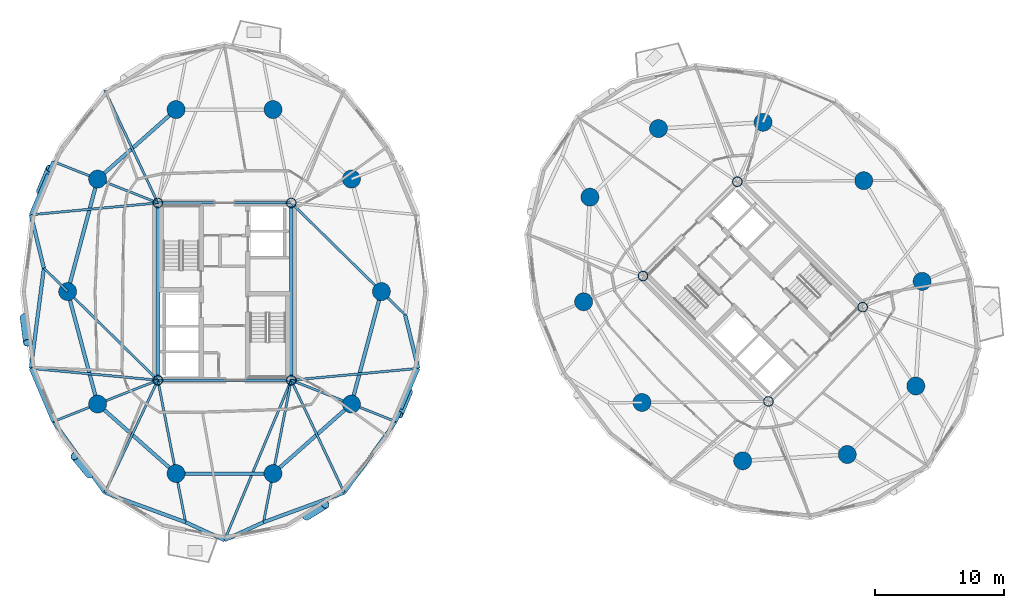
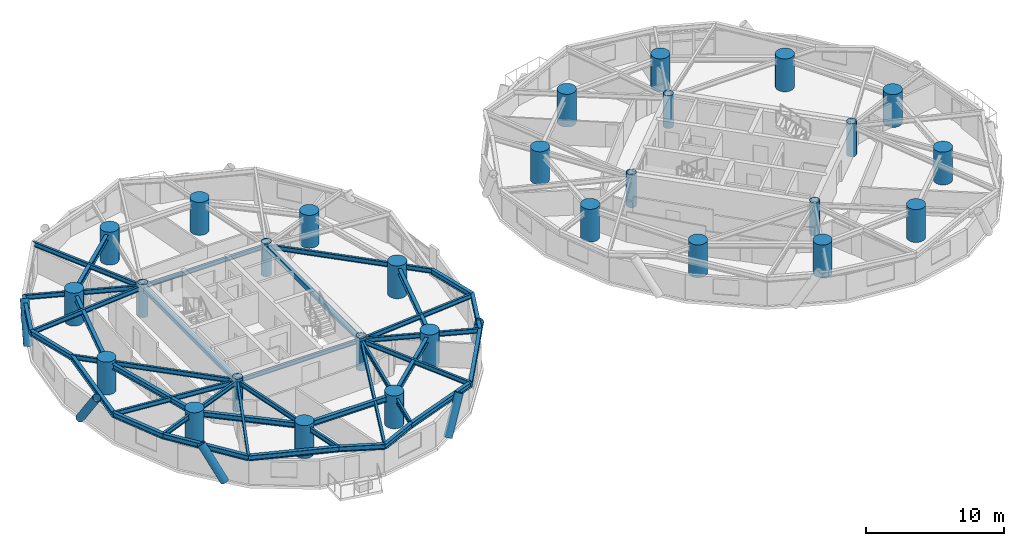
# One storey, part 1 of 17: 38 beams, 28 columns, 5 members.
"""IFC4 building model written with IfcOpenShell, lengths in metres."""

from ifc_helpers import new_model, si_unit, direction, frame, origin, origin_2d, place, context, subcontext, project, spatial, hollow_rectangle, circle, hollow_circle, i_section, extrude, material, material_profile, profile_set, type_object, element, save


model = new_model("IFC4")

# Units and contexts
model_context = context("Model", 3, precision=1e-05, world=origin(), true_north=direction((0.0, 1.0)))
body_context = subcontext(model_context, "Body", "Model", "MODEL_VIEW")
ifc_project = project(units=[si_unit("LENGTHUNIT", "METRE"), si_unit("AREAUNIT", "SQUARE_METRE"), si_unit("VOLUMEUNIT", "CUBIC_METRE"), si_unit("PLANEANGLEUNIT", "RADIAN"), si_unit("MASSUNIT", "GRAM", prefix="KILO")], contexts=[model_context])

# Site, building, storey
site_placement = place(None, origin())
site = spatial("IfcSite", under=ifc_project, at=site_placement, CompositionType="ELEMENT")
building_placement = place(site_placement, origin())
building = spatial("IfcBuilding", under=site, at=building_placement, Name="Cununo Teusaquillo Station Towers", CompositionType="ELEMENT")
storey_placement = place(building_placement, frame((0.0, 0.0, 113.800048828125)))
storey = spatial("IfcBuildingStorey", under=building, at=storey_placement, Name="L36", CompositionType="ELEMENT", Elevation=113.800048828125)

# Columns
ifc_material_1 = material(Name="Steel EN 10025-2 S355J2", Category="steel")
ifc_material_profile_1 = material_profile(ifc_material_1, hollow_circle(Radius=0.3798828125, WallThickness=0.031982421875, at=origin_2d()), Name="CHS 760x32")
ifc_profile_set_1 = profile_set([ifc_material_profile_1], Name="Steel EN 10025-2 S355J2")
column_type_1 = type_object("IfcColumnType", Name="COL-CORE-Z2", PredefinedType="COLUMN", material=ifc_profile_set_1)
for number, where, z_axis, x_axis, name in (
    (1, (11.324951171875, 17.6201171875, 0.0), (0.0, 0.0, 1.0), (1.0, 0.0, 0.0), "L36 Tower A Core Column 1"),
    (2, (11.324951171875, 31.3798828125, 0.0), (0.0, 0.0, 1.0), (1.0, 0.0, 0.0), "L36 Tower A Core Column 2"),
    (3, (21.675048828125, 17.6201171875, 0.0), (0.0, 0.0, 1.0), (1.0, 0.0, 0.0), "L36 Tower A Core Column 3"),
    (4, (21.675048828125, 31.3798828125, 0.0), (0.0, 0.0, 1.0), (1.0, 0.0, 0.0), "L36 Tower A Core Column 4"),
    (5, (58.70556640625, 15.975830078125, 0.0), (0.0, 0.0, 1.0), (0.707106781187, 0.707106781187, 0.0), "L36 Tower B Core Column 1"),
    (6, (48.975830078125, 25.70556640625, 0.0), (0.0, 0.0, 1.0), (0.707106781187, 0.707106781187, 0.0), "L36 Tower B Core Column 2"),
    (7, (66.024169921875, 23.29443359375, 0.0), (0.0, 0.0, 1.0), (0.707106781187, 0.707106781187, 0.0), "L36 Tower B Core Column 3"),
    (8, (56.29443359375, 33.024169921875, 0.0), (0.0, 0.0, 1.0), (0.707106781187, 0.707106781187, 0.0), "L36 Tower B Core Column 4"),
):
    element("IfcColumn", number, at=place(storey_placement, frame(where, z_axis=z_axis, x_axis=x_axis)), inside=storey, type_object=column_type_1, Name=name, PredefinedType="COLUMN", context=body_context, shape_type="SweptSolid", body=[
        extrude(hollow_circle(Radius=0.3798828125, WallThickness=0.031982421875, at=origin_2d()), origin(), (0.0, 0.0, 1.0), 2.909912109375),
    ])
ifc_material_2 = material(Name="Concrete C60/75", Category="concrete")
ifc_material_profile_2 = material_profile(ifc_material_2, circle(Radius=0.699951171875, at=origin_2d()), Name="RC-CIRC-1400")
ifc_profile_set_2 = profile_set([ifc_material_profile_2], Name="Concrete C60/75")
column_type_2 = type_object("IfcColumnType", Name="COL-MEGA-Z2", PredefinedType="USERDEFINED", material=ifc_profile_set_2)
for number, where, z_axis, x_axis, name in (
    (9, (28.672119140625, 24.5, 0.0), (0.0, 0.0, 1.0), (1.0, 0.0, 0.0), "L36 Tower A Perimeter Column V00"),
    (10, (26.347412109375, 33.228515625, 0.0), (0.0, 0.0, 1.0), (1.0, 0.0, 0.0), "L36 Tower A Perimeter Column V02"),
    (11, (20.261474609375, 38.623291015625, 0.0), (0.0, 0.0, 1.0), (1.0, 0.0, 0.0), "L36 Tower A Perimeter Column V04"),
    (12, (12.738525390625, 38.623291015625, 0.0), (0.0, 0.0, 1.0), (1.0, 0.0, 0.0), "L36 Tower A Perimeter Column V06"),
    (13, (6.652587890625, 33.228515625, 0.0), (0.0, 0.0, 1.0), (1.0, 0.0, 0.0), "L36 Tower A Perimeter Column V08"),
    (14, (4.327880859375, 24.5, 0.0), (0.0, 0.0, 1.0), (1.0, 0.0, 0.0), "L36 Tower A Perimeter Column V10"),
    (15, (6.652587890625, 15.771484375, 0.0), (0.0, 0.0, 1.0), (1.0, 0.0, 0.0), "L36 Tower A Perimeter Column V12"),
    (16, (12.738525390625, 10.376708984375, 0.0), (0.0, 0.0, 1.0), (1.0, 0.0, 0.0), "L36 Tower A Perimeter Column V14"),
    (17, (20.261474609375, 10.376708984375, 0.0), (0.0, 0.0, 1.0), (1.0, 0.0, 0.0), "L36 Tower A Perimeter Column V16"),
    (18, (26.347412109375, 15.771484375, 0.0), (0.0, 0.0, 1.0), (1.0, 0.0, 0.0), "L36 Tower A Perimeter Column V18"),
    (19, (66.10693359375, 33.10693359375, 0.0), (0.0, 0.0, 1.0), (1.0, 0.0, 0.0), "L36 Tower B Perimeter Column V00"),
    (20, (58.291015625, 37.63525390625, 0.0), (0.0, 0.0, 1.0), (1.0, 0.0, 0.0), "L36 Tower B Perimeter Column V02"),
    (21, (50.173095703125, 37.146240234375, 0.0), (0.0, 0.0, 1.0), (1.0, 0.0, 0.0), "L36 Tower B Perimeter Column V04"),
    (22, (44.853759765625, 31.826904296875, 0.0), (0.0, 0.0, 1.0), (1.0, 0.0, 0.0), "L36 Tower B Perimeter Column V06"),
    (23, (44.36474609375, 23.708984375, 0.0), (0.0, 0.0, 1.0), (1.0, 0.0, 0.0), "L36 Tower B Perimeter Column V08"),
    (24, (48.89306640625, 15.89306640625, 0.0), (0.0, 0.0, 1.0), (1.0, 0.0, 0.0), "L36 Tower B Perimeter Column V10"),
    (25, (56.708984375, 11.36474609375, 0.0), (0.0, 0.0, 1.0), (1.0, 0.0, 0.0), "L36 Tower B Perimeter Column V12"),
    (26, (64.826904296875, 11.853759765625, 0.0), (0.0, 0.0, 1.0), (1.0, 0.0, 0.0), "L36 Tower B Perimeter Column V14"),
    (27, (70.146240234375, 17.173095703125, 0.0), (0.0, 0.0, 1.0), (1.0, 0.0, 0.0), "L36 Tower B Perimeter Column V16"),
    (28, (70.63525390625, 25.291015625, 0.0), (0.0, 0.0, 1.0), (1.0, 0.0, 0.0), "L36 Tower B Perimeter Column V18"),
):
    element("IfcColumn", number, at=place(storey_placement, frame(where, z_axis=z_axis, x_axis=x_axis)), inside=storey, type_object=column_type_2, Name=name, ObjectType="MEGA COLUMN", PredefinedType="USERDEFINED", context=body_context, shape_type="SweptSolid", body=[
        extrude(circle(Radius=0.699951171875, at=origin_2d()), origin(), (0.0, 0.0, 1.0), 2.909912109375),
    ])

# Beams
ifc_material_3 = material(Name="Steel EN 10025-2 S355J2", Category="steel")
ifc_material_profile_3 = material_profile(ifc_material_3, hollow_rectangle(XDim=0.25, YDim=0.449951171875, WallThickness=0.01611328125, at=origin_2d()), Name="RHS 450x250x16")
ifc_profile_set_3 = profile_set([ifc_material_profile_3], Name="Steel EN 10025-2 S355J2")
beam_type_1 = type_object("IfcBeamType", Name="BM-COUP-1", PredefinedType="USERDEFINED", material=ifc_profile_set_3)
for number, where, z_axis, x_axis, name in (
    (29, (11.324951171875, 17.6201171875, 2.445068359375), (0.0, 1.0, 0.0), (-1.0, 0.0, 0.0), "L36 Tower A Core Beam 1"),
    (30, (21.675048828125, 17.6201171875, 2.445068359375), (0.0, 1.0, 0.0), (-1.0, 0.0, 0.0), "L36 Tower A Core Beam 2"),
):
    element("IfcBeam", number, at=place(storey_placement, frame(where, z_axis=z_axis, x_axis=x_axis)), inside=storey, type_object=beam_type_1, Name=name, ObjectType="COUPLING BEAM", PredefinedType="USERDEFINED", context=body_context, shape_type="SweptSolid", body=[
        extrude(hollow_rectangle(XDim=0.25, YDim=0.449951171875, WallThickness=0.01611328125, at=origin_2d()), origin(), (0.0, 0.0, 1.0), 13.759765625),
    ])
ifc_material_4 = material(Name="Steel ASTM A572 Grade 50", Category="steel")
ifc_material_profile_4 = material_profile(ifc_material_4, i_section(OverallWidth=0.180908203125, OverallDepth=0.4169921875, WebThickness=0.010986328125, FlangeThickness=0.018310546875, FilletRadius=0.012939453125, at=origin_2d()), Name="W16X57")
ifc_profile_set_4 = profile_set([ifc_material_profile_4], Name="Steel ASTM A572 Grade 50")
beam_type_2 = type_object("IfcBeamType", Name="BM-JOIST-1", PredefinedType="JOIST", material=ifc_profile_set_4)
beam_1_placement = place(storey_placement, frame((11.324951171875, 31.3798828125, 2.46142578125), z_axis=(-0.426319838016, 0.904572493344, 0.0), x_axis=(-0.904572493344, -0.426319838016, 0.0)))
element("IfcBeam", 31, at=beam_1_placement, inside=storey, type_object=beam_type_2, Name="L36 Tower A Radial Spandrel Joist V07", PredefinedType="JOIST", context=body_context, shape_type="SweptSolid", body=[
    extrude(i_section(OverallWidth=0.180908203125, OverallDepth=0.4169921875, WebThickness=0.010986328125, FlangeThickness=0.018310546875, FilletRadius=0.012939453125, at=origin_2d()), origin(), (0.0, 0.0, 1.0), 9.646728515625),
])
for number, where, z_axis, x_axis, name in (
    (32, (11.324951171875, 31.3798828125, 2.46142578125), (-0.995678537907, -0.09286683558, 0.0), (0.09286683558, -0.995678537907, 0.0), "L36 Tower A Radial Spandrel Joist V09"),
    (33, (11.324951171875, 17.6201171875, 2.46142578125), (-0.995678537907, 0.09286683558, 0.0), (-0.09286683558, -0.995678537907, 0.0), "L36 Tower A Radial Spandrel Joist V11"),
):
    element("IfcBeam", number, at=place(storey_placement, frame(where, z_axis=z_axis, x_axis=x_axis)), inside=storey, type_object=beam_type_2, Name=name, PredefinedType="JOIST", context=body_context, shape_type="SweptSolid", body=[
        extrude(i_section(OverallWidth=0.180908203125, OverallDepth=0.4169921875, WebThickness=0.010986328125, FlangeThickness=0.018310546875, FilletRadius=0.012939453125, at=origin_2d()), origin(), (0.0, 0.0, 1.0), 9.895263671875),
    ])
beam_2_placement = place(storey_placement, frame((11.324951171875, 17.6201171875, 2.46142578125), z_axis=(-0.426319838016, -0.904572493344, 0.0), x_axis=(0.904572493344, -0.426319838016, 0.0)))
element("IfcBeam", 34, at=beam_2_placement, inside=storey, type_object=beam_type_2, Name="L36 Tower A Radial Spandrel Joist V13", PredefinedType="JOIST", context=body_context, shape_type="SweptSolid", body=[
    extrude(i_section(OverallWidth=0.180908203125, OverallDepth=0.4169921875, WebThickness=0.010986328125, FlangeThickness=0.018310546875, FilletRadius=0.012939453125, at=origin_2d()), origin(), (0.0, 0.0, 1.0), 9.646728515625),
])
beam_3_placement = place(storey_placement, frame((21.675048828125, 17.6201171875, 2.46142578125), z_axis=(-0.38487837995, -0.922967297713, 0.0), x_axis=(0.922967297713, -0.38487837995, 0.0)))
element("IfcBeam", 35, at=beam_3_placement, inside=storey, type_object=beam_type_2, Name="L36 Tower A Radial Spandrel Joist V15", PredefinedType="JOIST", context=body_context, shape_type="SweptSolid", body=[
    extrude(i_section(OverallWidth=0.180908203125, OverallDepth=0.4169921875, WebThickness=0.010986328125, FlangeThickness=0.018310546875, FilletRadius=0.012939453125, at=origin_2d()), origin(), (0.0, 0.0, 1.0), 13.446044921875),
])
beam_4_placement = place(storey_placement, frame((21.675048828125, 17.6201171875, 2.46142578125), z_axis=(0.426319838016, -0.904572493344, 0.0), x_axis=(0.904572493344, 0.426319838016, 0.0)))
element("IfcBeam", 36, at=beam_4_placement, inside=storey, type_object=beam_type_2, Name="L36 Tower A Radial Spandrel Joist V17", PredefinedType="JOIST", context=body_context, shape_type="SweptSolid", body=[
    extrude(i_section(OverallWidth=0.180908203125, OverallDepth=0.4169921875, WebThickness=0.010986328125, FlangeThickness=0.018310546875, FilletRadius=0.012939453125, at=origin_2d()), origin(), (0.0, 0.0, 1.0), 9.646728515625),
])
beam_5_placement = place(storey_placement, frame((21.675048828125, 17.6201171875, 2.46142578125), z_axis=(0.995678537907, 0.09286683558, 0.0), x_axis=(-0.09286683558, 0.995678537907, 0.0)))
element("IfcBeam", 37, at=beam_5_placement, inside=storey, type_object=beam_type_2, Name="L36 Tower A Radial Spandrel Joist V19", PredefinedType="JOIST", context=body_context, shape_type="SweptSolid", body=[
    extrude(i_section(OverallWidth=0.180908203125, OverallDepth=0.4169921875, WebThickness=0.010986328125, FlangeThickness=0.018310546875, FilletRadius=0.012939453125, at=origin_2d()), origin(), (0.0, 0.0, 1.0), 9.895263671875),
])
ifc_material_5 = material(Name="Steel ASTM A572 Grade 50", Category="steel")
ifc_material_profile_5 = material_profile(ifc_material_5, i_section(OverallWidth=0.2041015625, OverallDepth=0.35009765625, WebThickness=0.008544921875, FlangeThickness=0.01513671875, FilletRadius=0.011962890625, at=origin_2d()), Name="W14X48")
ifc_profile_set_5 = profile_set([ifc_material_profile_5], Name="Steel ASTM A572 Grade 50")
beam_type_3 = type_object("IfcBeamType", Name="BM-LINTEL-1", PredefinedType="LINTEL", material=ifc_profile_set_5)
for number, where, z_axis, x_axis, name in (
    (38, (11.324951171875, 17.6201171875, 2.494873046875), (1.0, 0.0, 0.0), (0.0, 1.0, 0.0), "L36 Tower A Core Beam 3"),
    (39, (11.324951171875, 31.3798828125, 2.494873046875), (1.0, 0.0, 0.0), (0.0, 1.0, 0.0), "L36 Tower A Core Beam 4"),
):
    element("IfcBeam", number, at=place(storey_placement, frame(where, z_axis=z_axis, x_axis=x_axis)), inside=storey, type_object=beam_type_3, Name=name, PredefinedType="LINTEL", context=body_context, shape_type="SweptSolid", body=[
        extrude(i_section(OverallWidth=0.2041015625, OverallDepth=0.35009765625, WebThickness=0.008544921875, FlangeThickness=0.01513671875, FilletRadius=0.011962890625, at=origin_2d()), origin(), (0.0, 0.0, 1.0), 10.35009765625),
    ])
ifc_material_6 = material(Name="Steel ASTM A572 Grade 50", Category="steel")
ifc_material_profile_6 = material_profile(ifc_material_6, i_section(OverallWidth=0.180908203125, OverallDepth=0.4169921875, WebThickness=0.010986328125, FlangeThickness=0.018310546875, FilletRadius=0.012939453125, at=origin_2d()), Name="W16X57")
ifc_profile_set_6 = profile_set([ifc_material_profile_6], Name="Steel ASTM A572 Grade 50")
beam_type_4 = type_object("IfcBeamType", Name="BM-RAD-G2", PredefinedType="BEAM", material=ifc_profile_set_6)
beam_6_placement = place(storey_placement, frame((21.675048828125, 31.3798828125, 2.46142578125), z_axis=(0.713047137857, -0.701116095375, 0.0), x_axis=(0.701116095375, 0.713047137857, 0.0)))
element("IfcBeam", 40, at=beam_6_placement, inside=storey, type_object=beam_type_4, Name="L36 Tower A Continuous Overhanging Radial Girder 01", PredefinedType="BEAM", context=body_context, shape_type="SweptSolid", body=[
    extrude(i_section(OverallWidth=0.180908203125, OverallDepth=0.4169921875, WebThickness=0.010986328125, FlangeThickness=0.018310546875, FilletRadius=0.012939453125, at=origin_2d()), origin(), (0.0, 0.0, 1.0), 12.400390625),
])
beam_7_placement = place(storey_placement, frame((11.324951171875, 31.3798828125, 2.46142578125), z_axis=(-0.929863123823, 0.367905654963, 0.0), x_axis=(-0.367905654963, -0.929863123823, 0.0)))
element("IfcBeam", 41, at=beam_7_placement, inside=storey, type_object=beam_type_4, Name="L36 Tower A Continuous Overhanging Radial Girder 05", PredefinedType="BEAM", context=body_context, shape_type="SweptSolid", body=[
    extrude(i_section(OverallWidth=0.180908203125, OverallDepth=0.4169921875, WebThickness=0.010986328125, FlangeThickness=0.018310546875, FilletRadius=0.012939453125, at=origin_2d()), origin(), (0.0, 0.0, 1.0), 8.715087890625),
])
beam_8_placement = place(storey_placement, frame((11.324951171875, 17.6201171875, 2.46142578125), z_axis=(-0.713052701438, 0.701110437073, 0.0), x_axis=(-0.701110437073, -0.713052701438, 0.0)))
element("IfcBeam", 42, at=beam_8_placement, inside=storey, type_object=beam_type_4, Name="L36 Tower A Radial Girder 06A", PredefinedType="BEAM", context=body_context, shape_type="SweptSolid", body=[
    extrude(i_section(OverallWidth=0.180908203125, OverallDepth=0.4169921875, WebThickness=0.010986328125, FlangeThickness=0.018310546875, FilletRadius=0.012939453125, at=origin_2d()), origin(), (0.0, 0.0, 1.0), 9.812744140625),
])
beam_9_placement = place(storey_placement, frame((4.327880859375, 24.5, 2.46142578125), z_axis=(-0.7130260383, 0.701137553342, 0.0), x_axis=(-0.701137553342, -0.7130260383, 0.0)))
element("IfcBeam", 43, at=beam_9_placement, inside=storey, type_object=beam_type_4, Name="L36 Tower A Perimeter Overhang Girder 06B", PredefinedType="BEAM", context=body_context, shape_type="SweptSolid", body=[
    extrude(i_section(OverallWidth=0.180908203125, OverallDepth=0.4169921875, WebThickness=0.010986328125, FlangeThickness=0.018310546875, FilletRadius=0.012939453125, at=origin_2d()), origin(), (0.0, 0.0, 1.0), 2.58740234375),
])
beam_10_placement = place(storey_placement, frame((11.324951171875, 17.6201171875, 2.46142578125), z_axis=(-0.929863123823, -0.367905654963, 0.0), x_axis=(0.367905654963, -0.929863123823, 0.0)))
element("IfcBeam", 44, at=beam_10_placement, inside=storey, type_object=beam_type_4, Name="L36 Tower A Continuous Overhanging Radial Girder 07", PredefinedType="BEAM", context=body_context, shape_type="SweptSolid", body=[
    extrude(i_section(OverallWidth=0.180908203125, OverallDepth=0.4169921875, WebThickness=0.010986328125, FlangeThickness=0.018310546875, FilletRadius=0.012939453125, at=origin_2d()), origin(), (0.0, 0.0, 1.0), 8.715087890625),
])
for number, where, z_axis, x_axis, name in (
    (45, (11.324951171875, 17.6201171875, 2.46142578125), (0.191552755713, -0.981482318628, 0.0), (0.981482318628, 0.191552755713, 0.0), "L36 Tower A Continuous Overhanging Radial Girder 08"),
    (46, (21.675048828125, 17.6201171875, 2.46142578125), (-0.191552755713, -0.981482318628, 0.0), (0.981482318628, -0.191552755713, 0.0), "L36 Tower A Continuous Overhanging Radial Girder 09"),
):
    element("IfcBeam", number, at=place(storey_placement, frame(where, z_axis=z_axis, x_axis=x_axis)), inside=storey, type_object=beam_type_4, Name=name, PredefinedType="BEAM", context=body_context, shape_type="SweptSolid", body=[
        extrude(i_section(OverallWidth=0.180908203125, OverallDepth=0.4169921875, WebThickness=0.010986328125, FlangeThickness=0.018310546875, FilletRadius=0.012939453125, at=origin_2d()), origin(), (0.0, 0.0, 1.0), 11.22998046875),
    ])
beam_11_placement = place(storey_placement, frame((21.675048828125, 17.6201171875, 2.46142578125), z_axis=(0.929863123823, -0.367905654963, 0.0), x_axis=(0.367905654963, 0.929863123823, 0.0)))
element("IfcBeam", 47, at=beam_11_placement, inside=storey, type_object=beam_type_4, Name="L36 Tower A Continuous Overhanging Radial Girder 10", PredefinedType="BEAM", context=body_context, shape_type="SweptSolid", body=[
    extrude(i_section(OverallWidth=0.180908203125, OverallDepth=0.4169921875, WebThickness=0.010986328125, FlangeThickness=0.018310546875, FilletRadius=0.012939453125, at=origin_2d()), origin(), (0.0, 0.0, 1.0), 8.715087890625),
])
ifc_material_7 = material(Name="Steel ASTM A572 Grade 50", Category="steel")
ifc_material_profile_7 = material_profile(ifc_material_7, i_section(OverallWidth=0.280029296875, OverallDepth=0.462890625, WebThickness=0.0107421875, FlangeThickness=0.017333984375, FilletRadius=0.013916015625, at=origin_2d()), Name="W18X76")
ifc_profile_set_7 = profile_set([ifc_material_profile_7], Name="Steel ASTM A572 Grade 50")
beam_type_5 = type_object("IfcBeamType", Name="BM-RING-Z2", PredefinedType="SPANDREL", material=ifc_profile_set_7)
beam_12_placement = place(storey_placement, frame((12.738525390625, 38.623291015625, 2.4384765625), z_axis=(-0.74832120039, -0.66333655187, 0.0), x_axis=(0.66333655187, -0.74832120039, 0.0)))
element("IfcBeam", 48, at=beam_12_placement, inside=storey, type_object=beam_type_5, Name="L36 Tower A Structural Column Ring Girder 04", PredefinedType="SPANDREL", context=body_context, shape_type="SweptSolid", body=[
    extrude(i_section(OverallWidth=0.280029296875, OverallDepth=0.462890625, WebThickness=0.0107421875, FlangeThickness=0.017333984375, FilletRadius=0.013916015625, at=origin_2d()), origin(), (0.0, 0.0, 1.0), 8.1328125),
])
for number, where, z_axis, x_axis, name in (
    (49, (6.652587890625, 33.228515625, 2.4384765625), (-0.257363196347, -0.966314744359, 0.0), (0.966314744359, -0.257363196347, 0.0), "L36 Tower A Structural Column Ring Girder 05"),
    (50, (4.327880859375, 24.5, 2.4384765625), (0.257363196347, -0.966314744359, 0.0), (0.966314744359, 0.257363196347, 0.0), "L36 Tower A Structural Column Ring Girder 06"),
):
    element("IfcBeam", number, at=place(storey_placement, frame(where, z_axis=z_axis, x_axis=x_axis)), inside=storey, type_object=beam_type_5, Name=name, PredefinedType="SPANDREL", context=body_context, shape_type="SweptSolid", body=[
        extrude(i_section(OverallWidth=0.280029296875, OverallDepth=0.462890625, WebThickness=0.0107421875, FlangeThickness=0.017333984375, FilletRadius=0.013916015625, at=origin_2d()), origin(), (0.0, 0.0, 1.0), 9.03271484375),
    ])
beam_13_placement = place(storey_placement, frame((6.652587890625, 15.771484375, 2.4384765625), z_axis=(0.74832120039, -0.66333655187, 0.0), x_axis=(0.66333655187, 0.74832120039, 0.0)))
element("IfcBeam", 51, at=beam_13_placement, inside=storey, type_object=beam_type_5, Name="L36 Tower A Structural Column Ring Girder 07", PredefinedType="SPANDREL", context=body_context, shape_type="SweptSolid", body=[
    extrude(i_section(OverallWidth=0.280029296875, OverallDepth=0.462890625, WebThickness=0.0107421875, FlangeThickness=0.017333984375, FilletRadius=0.013916015625, at=origin_2d()), origin(), (0.0, 0.0, 1.0), 8.1328125),
])
beam_14_placement = place(storey_placement, frame((12.738525390625, 10.376708984375, 2.4384765625), z_axis=(1.0, 0.0, 0.0), x_axis=(0.0, 1.0, 0.0)))
element("IfcBeam", 52, at=beam_14_placement, inside=storey, type_object=beam_type_5, Name="L36 Tower A Structural Column Ring Girder 08", PredefinedType="SPANDREL", context=body_context, shape_type="SweptSolid", body=[
    extrude(i_section(OverallWidth=0.280029296875, OverallDepth=0.462890625, WebThickness=0.0107421875, FlangeThickness=0.017333984375, FilletRadius=0.013916015625, at=origin_2d()), origin(), (0.0, 0.0, 1.0), 7.52294921875),
])
beam_15_placement = place(storey_placement, frame((20.261474609375, 10.376708984375, 2.4384765625), z_axis=(0.74832120039, 0.66333655187, 0.0), x_axis=(-0.66333655187, 0.74832120039, 0.0)))
element("IfcBeam", 53, at=beam_15_placement, inside=storey, type_object=beam_type_5, Name="L36 Tower A Structural Column Ring Girder 09", PredefinedType="SPANDREL", context=body_context, shape_type="SweptSolid", body=[
    extrude(i_section(OverallWidth=0.280029296875, OverallDepth=0.462890625, WebThickness=0.0107421875, FlangeThickness=0.017333984375, FilletRadius=0.013916015625, at=origin_2d()), origin(), (0.0, 0.0, 1.0), 8.1328125),
])
beam_16_placement = place(storey_placement, frame((26.347412109375, 15.771484375, 2.4384765625), z_axis=(0.257363196347, 0.966314744359, 0.0), x_axis=(-0.966314744359, 0.257363196347, 0.0)))
element("IfcBeam", 54, at=beam_16_placement, inside=storey, type_object=beam_type_5, Name="L36 Tower A Structural Column Ring Girder 10", PredefinedType="SPANDREL", context=body_context, shape_type="SweptSolid", body=[
    extrude(i_section(OverallWidth=0.280029296875, OverallDepth=0.462890625, WebThickness=0.0107421875, FlangeThickness=0.017333984375, FilletRadius=0.013916015625, at=origin_2d()), origin(), (0.0, 0.0, 1.0), 9.03271484375),
])
beam_17_placement = place(storey_placement, frame((3.22119140625, 34.586181640625, 2.4384765625), z_axis=(-0.390299356049, -0.920688010494, 0.0), x_axis=(0.920688010494, -0.390299356049, 0.0)))
element("IfcBeam", 55, at=beam_17_placement, inside=storey, type_object=beam_type_5, Name="L36 Tower A Spandrel Ring Beam 09", PredefinedType="SPANDREL", context=body_context, shape_type="SweptSolid", body=[
    extrude(i_section(OverallWidth=0.280029296875, OverallDepth=0.462890625, WebThickness=0.0107421875, FlangeThickness=0.017333984375, FilletRadius=0.013916015625, at=origin_2d()), origin(), (0.0, 0.0, 1.0), 4.480712890625),
])
beam_18_placement = place(storey_placement, frame((1.472412109375, 30.4609375, 2.4384765625), z_axis=(0.236757334703, -0.971568816124, 0.0), x_axis=(0.971568816124, 0.236757334703, 0.0)))
element("IfcBeam", 56, at=beam_18_placement, inside=storey, type_object=beam_type_5, Name="L36 Tower A Spandrel Ring Beam 10", PredefinedType="SPANDREL", context=body_context, shape_type="SweptSolid", body=[
    extrude(i_section(OverallWidth=0.280029296875, OverallDepth=0.462890625, WebThickness=0.0107421875, FlangeThickness=0.017333984375, FilletRadius=0.013916015625, at=origin_2d()), origin(), (0.0, 0.0, 1.0), 4.26806640625),
])
beam_19_placement = place(storey_placement, frame((2.48291015625, 26.314208984375, 2.4384765625), z_axis=(-0.12888124113, -0.991660035337, 0.0), x_axis=(0.991660035337, -0.12888124113, 0.0)))
element("IfcBeam", 57, at=beam_19_placement, inside=storey, type_object=beam_type_5, Name="L36 Tower A Spandrel Ring Beam 11", PredefinedType="SPANDREL", context=body_context, shape_type="SweptSolid", body=[
    extrude(i_section(OverallWidth=0.280029296875, OverallDepth=0.462890625, WebThickness=0.0107421875, FlangeThickness=0.017333984375, FilletRadius=0.013916015625, at=origin_2d()), origin(), (0.0, 0.0, 1.0), 7.840576171875),
])
beam_20_placement = place(storey_placement, frame((1.472412109375, 18.5390625, 2.4384765625), z_axis=(0.390299356049, -0.920688010494, 0.0), x_axis=(0.920688010494, 0.390299356049, 0.0)))
element("IfcBeam", 58, at=beam_20_placement, inside=storey, type_object=beam_type_5, Name="L36 Tower A Spandrel Ring Beam 12", PredefinedType="SPANDREL", context=body_context, shape_type="SweptSolid", body=[
    extrude(i_section(OverallWidth=0.280029296875, OverallDepth=0.462890625, WebThickness=0.0107421875, FlangeThickness=0.017333984375, FilletRadius=0.013916015625, at=origin_2d()), origin(), (0.0, 0.0, 1.0), 4.480712890625),
])
beam_21_placement = place(storey_placement, frame((3.22119140625, 14.413818359375, 2.4384765625), z_axis=(0.58594455724, -0.810351143543, 0.0), x_axis=(0.810351143543, 0.58594455724, 0.0)))
element("IfcBeam", 59, at=beam_21_placement, inside=storey, type_object=beam_type_5, Name="L36 Tower A Spandrel Ring Beam 13", PredefinedType="SPANDREL", context=body_context, shape_type="SweptSolid", body=[
    extrude(i_section(OverallWidth=0.280029296875, OverallDepth=0.462890625, WebThickness=0.0107421875, FlangeThickness=0.017333984375, FilletRadius=0.013916015625, at=origin_2d()), origin(), (0.0, 0.0, 1.0), 6.8115234375),
])
beam_22_placement = place(storey_placement, frame((7.21240234375, 8.89404296875, 2.4384765625), z_axis=(0.938914161016, -0.34415141761, 0.0), x_axis=(0.34415141761, 0.938914161016, 0.0)))
element("IfcBeam", 60, at=beam_22_placement, inside=storey, type_object=beam_type_5, Name="L36 Tower A Spandrel Ring Beam 14", PredefinedType="SPANDREL", context=body_context, shape_type="SweptSolid", body=[
    extrude(i_section(OverallWidth=0.280029296875, OverallDepth=0.462890625, WebThickness=0.0107421875, FlangeThickness=0.017333984375, FilletRadius=0.013916015625, at=origin_2d()), origin(), (0.0, 0.0, 1.0), 6.671142578125),
])
for number, where, z_axis, x_axis, name in (
    (61, (13.47607421875, 6.59814453125, 2.4384765625), (0.908812215281, -0.417205413862, 0.0), (0.417205413862, 0.908812215281, 0.0), "L36 Tower A Spandrel Ring Beam 15"),
    (62, (16.5, 5.2099609375, 2.4384765625), (0.908812215281, 0.417205413862, 0.0), (-0.417205413862, 0.908812215281, 0.0), "L36 Tower A Spandrel Ring Beam 16"),
):
    element("IfcBeam", number, at=place(storey_placement, frame(where, z_axis=z_axis, x_axis=x_axis)), inside=storey, type_object=beam_type_5, Name=name, PredefinedType="SPANDREL", context=body_context, shape_type="SweptSolid", body=[
        extrude(i_section(OverallWidth=0.280029296875, OverallDepth=0.462890625, WebThickness=0.0107421875, FlangeThickness=0.017333984375, FilletRadius=0.013916015625, at=origin_2d()), origin(), (0.0, 0.0, 1.0), 3.327392578125),
    ])
beam_23_placement = place(storey_placement, frame((19.52392578125, 6.59814453125, 2.4384765625), z_axis=(0.938914161016, 0.34415141761, 0.0), x_axis=(-0.34415141761, 0.938914161016, 0.0)))
element("IfcBeam", 63, at=beam_23_placement, inside=storey, type_object=beam_type_5, Name="L36 Tower A Spandrel Ring Beam 17", PredefinedType="SPANDREL", context=body_context, shape_type="SweptSolid", body=[
    extrude(i_section(OverallWidth=0.280029296875, OverallDepth=0.462890625, WebThickness=0.0107421875, FlangeThickness=0.017333984375, FilletRadius=0.013916015625, at=origin_2d()), origin(), (0.0, 0.0, 1.0), 6.671142578125),
])
beam_24_placement = place(storey_placement, frame((25.78759765625, 8.89404296875, 2.4384765625), z_axis=(0.58594455724, 0.810351143543, 0.0), x_axis=(-0.810351143543, 0.58594455724, 0.0)))
element("IfcBeam", 64, at=beam_24_placement, inside=storey, type_object=beam_type_5, Name="L36 Tower A Spandrel Ring Beam 18", PredefinedType="SPANDREL", context=body_context, shape_type="SweptSolid", body=[
    extrude(i_section(OverallWidth=0.280029296875, OverallDepth=0.462890625, WebThickness=0.0107421875, FlangeThickness=0.017333984375, FilletRadius=0.013916015625, at=origin_2d()), origin(), (0.0, 0.0, 1.0), 6.8115234375),
])
beam_25_placement = place(storey_placement, frame((29.77880859375, 14.413818359375, 2.4384765625), z_axis=(0.390299356049, 0.920688010494, 0.0), x_axis=(-0.920688010494, 0.390299356049, 0.0)))
element("IfcBeam", 65, at=beam_25_placement, inside=storey, type_object=beam_type_5, Name="L36 Tower A Spandrel Ring Beam 19", PredefinedType="SPANDREL", context=body_context, shape_type="SweptSolid", body=[
    extrude(i_section(OverallWidth=0.280029296875, OverallDepth=0.462890625, WebThickness=0.0107421875, FlangeThickness=0.017333984375, FilletRadius=0.013916015625, at=origin_2d()), origin(), (0.0, 0.0, 1.0), 4.480712890625),
])
beam_26_placement = place(storey_placement, frame((31.527587890625, 18.5390625, 2.4384765625), z_axis=(-0.236757334703, 0.971568816124, 0.0), x_axis=(-0.971568816124, -0.236757334703, 0.0)))
element("IfcBeam", 66, at=beam_26_placement, inside=storey, type_object=beam_type_5, Name="L36 Tower A Spandrel Ring Beam 20", PredefinedType="SPANDREL", context=body_context, shape_type="SweptSolid", body=[
    extrude(i_section(OverallWidth=0.280029296875, OverallDepth=0.462890625, WebThickness=0.0107421875, FlangeThickness=0.017333984375, FilletRadius=0.013916015625, at=origin_2d()), origin(), (0.0, 0.0, 1.0), 4.26806640625),
])

# Members
ifc_material_8 = material(Name="Steel EN 10025-2 S355J2", Category="steel")
ifc_material_profile_8 = material_profile(ifc_material_8, hollow_circle(Radius=0.330078125, WallThickness=0.02490234375, at=origin_2d()), Name="CHS 660x25")
ifc_profile_set_8 = profile_set([ifc_material_profile_8], Name="Steel EN 10025-2 S355J2")
member_type = type_object("IfcMemberType", Name="MBR-DIAG-Z2", PredefinedType="BRACE", material=ifc_profile_set_8)
member_1_placement = place(storey_placement, frame((2.220458984375, 32.25341796875, -0.14013671875), z_axis=(0.213801258435, 0.512313589893, 0.831759464931), x_axis=(-0.922861086318, 0.385132983993, 0.0)))
element("IfcMember", 67, at=member_1_placement, inside=storey, type_object=member_type, Name="L36 Tower A Folded-Zigzag Diagrid Tube C08", PredefinedType="BRACE", context=body_context, shape_type="SweptSolid", body=[
    extrude(hollow_circle(Radius=0.330078125, WallThickness=0.02490234375, at=origin_2d()), origin(), (0.0, 0.0, 1.0), 3.498779296875),
])
member_2_placement = place(storey_placement, frame((0.956787109375, 22.512939453125, -0.14013671875), z_axis=(0.072970268481, -0.562340951609, 0.823679545734), x_axis=(0.991685812096, 0.128682749763, 0.0)))
element("IfcMember", 68, at=member_2_placement, inside=storey, type_object=member_type, Name="L36 Tower A Folded-Zigzag Diagrid Tube C10", PredefinedType="BRACE", context=body_context, shape_type="SweptSolid", body=[
    extrude(hollow_circle(Radius=0.330078125, WallThickness=0.02490234375, at=origin_2d()), origin(), (0.0, 0.0, 1.0), 3.533203125),
])
member_3_placement = place(storey_placement, frame((6.047119140625, 10.316650390625, -0.14013671875), z_axis=(-0.338510463773, 0.413191276334, 0.845389635067), x_axis=(-0.773548952929, -0.633736552065, 0.0)))
element("IfcMember", 69, at=member_3_placement, inside=storey, type_object=member_type, Name="L36 Tower A Folded-Zigzag Diagrid Tube C12", PredefinedType="BRACE", context=body_context, shape_type="SweptSolid", body=[
    extrude(hollow_circle(Radius=0.330078125, WallThickness=0.02490234375, at=origin_2d()), origin(), (0.0, 0.0, 1.0), 3.4423828125),
])
member_4_placement = place(storey_placement, frame((22.85107421875, 7.0673828125, -0.14013671875), z_axis=(0.433741137774, 0.269808047292, 0.859693109789), x_axis=(-0.528195574716, 0.849122744278, 0.0)))
element("IfcMember", 70, at=member_4_placement, inside=storey, type_object=member_type, Name="L36 Tower A Folded-Zigzag Diagrid Tube C16", PredefinedType="BRACE", context=body_context, shape_type="SweptSolid", body=[
    extrude(hollow_circle(Radius=0.330078125, WallThickness=0.02490234375, at=origin_2d()), origin(), (0.0, 0.0, 1.0), 3.385009765625),
])
member_5_placement = place(storey_placement, frame((30.779541015625, 16.74658203125, -0.14013671875), z_axis=(-0.213801258435, -0.512313589893, 0.831759464931), x_axis=(0.922861086318, -0.385132983993, 0.0)))
element("IfcMember", 71, at=member_5_placement, inside=storey, type_object=member_type, Name="L36 Tower A Folded-Zigzag Diagrid Tube C18", PredefinedType="BRACE", context=body_context, shape_type="SweptSolid", body=[
    extrude(hollow_circle(Radius=0.330078125, WallThickness=0.02490234375, at=origin_2d()), origin(), (0.0, 0.0, 1.0), 3.498779296875),
])

save(model, "model.ifc")
